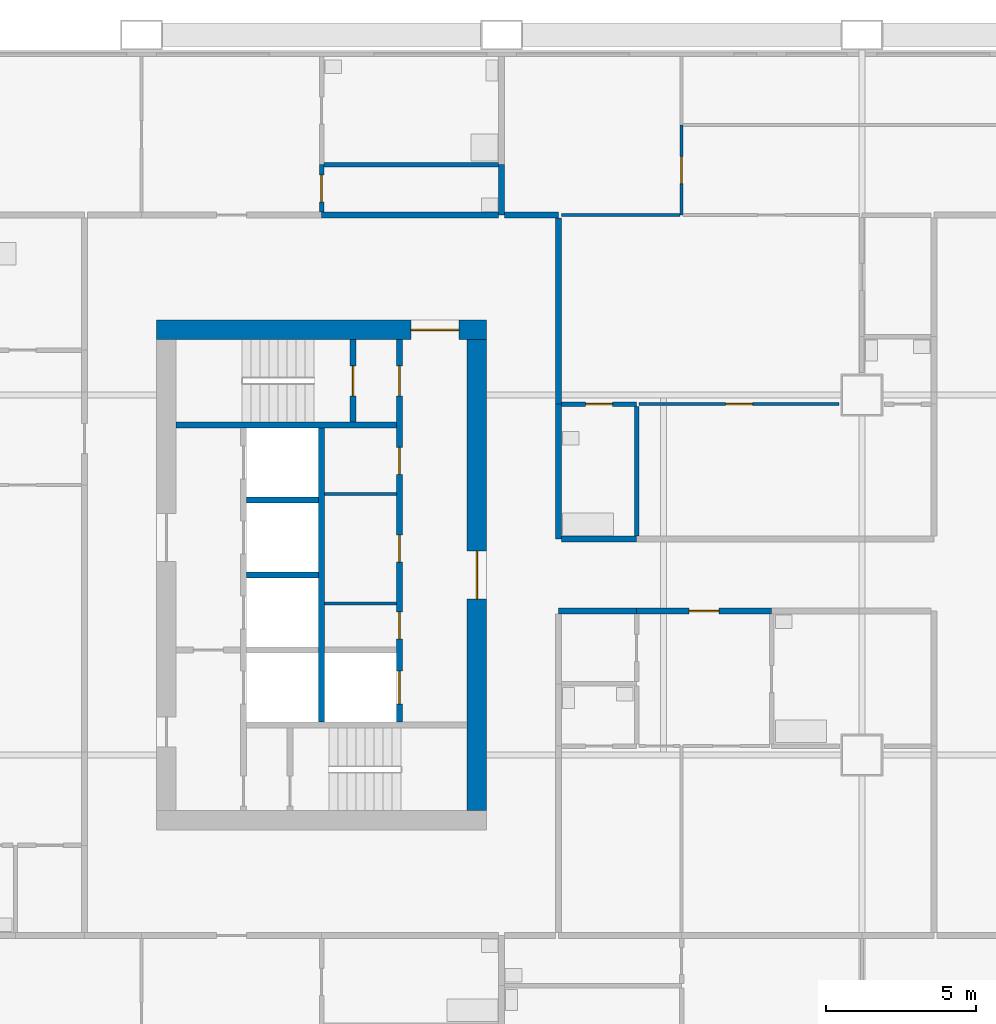
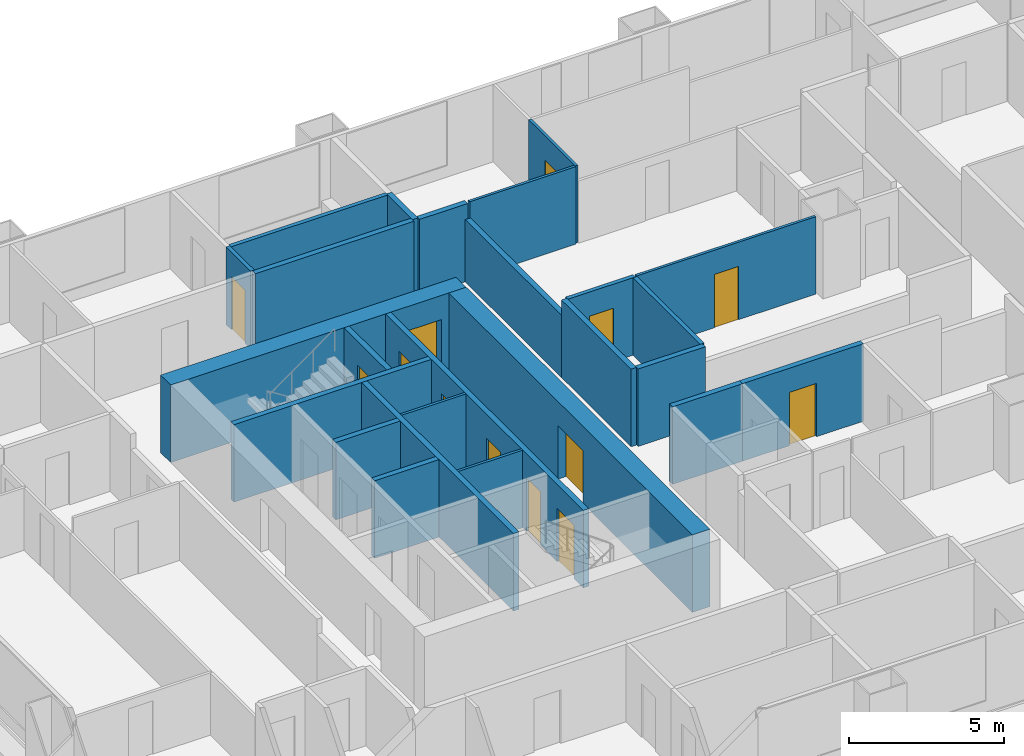
# One storey, part 4 of 11: 25 walls, 13 doors, 13 openings.
"""IFC4 building model written with IfcOpenShell, lengths in metres."""

from ifc_helpers import new_model, si_unit, direction, frame, frame_2d, origin, place, context, subcontext, project, spatial, rectangle, extrude, material, layer, layer_set, type_object, element, fill, save


model = new_model("IFC4")

# Units and contexts
model_context = context("Model", 3, precision=1e-05, world=origin(), true_north=direction((0.0, 1.0)))
body_context = subcontext(model_context, "Body", "Model", "MODEL_VIEW")
ifc_project = project(units=[si_unit("LENGTHUNIT", "METRE"), si_unit("AREAUNIT", "SQUARE_METRE"), si_unit("VOLUMEUNIT", "CUBIC_METRE"), si_unit("PLANEANGLEUNIT", "RADIAN"), si_unit("MASSUNIT", "GRAM", prefix="KILO")], contexts=[model_context])

# Site, building, storey
site_placement = place(None, origin())
site = spatial("IfcSite", under=ifc_project, at=site_placement, CompositionType="ELEMENT")
building_placement = place(site_placement, origin())
building = spatial("IfcBuilding", under=site, at=building_placement, Name="Kitamizu Gate Tower and Museum", CompositionType="ELEMENT")
storey_placement = place(building_placement, frame((0.0, 0.0, 141.449951171875)))
storey = spatial("IfcBuildingStorey", under=building, at=storey_placement, Name="L37", CompositionType="ELEMENT", Elevation=141.449951171875)

# Wall, opening, door
ifc_material_1 = material(Name="Concrete Fc60", Category="concrete")
ifc_layer_1 = layer(ifc_material_1, 0.64990234375)
ifc_layer_set_1 = layer_set([ifc_layer_1], Name="Concrete Fc60")
wall_type_1 = type_object("IfcWallType", Name="Core wall 650", PredefinedType="SHEAR", material=ifc_layer_set_1)
wall_1_placement = place(storey_placement, frame((12.5, 38.175048828125, 0.0), z_axis=(0.0, 0.0, 1.0), x_axis=(1.0, 0.0, 0.0)))
wall_1 = element("IfcWall", 1, at=wall_1_placement, inside=storey, type_object=wall_type_1, Name="Core wall WN", PredefinedType="SHEAR", context=body_context, shape_type="SweptSolid", body=[
    extrude(rectangle(XDim=11.0, YDim=0.64990234375, at=frame_2d((5.5, 0.0))), origin(), (0.0, 0.0, 1.0), 3.050048828125),
])
opening_1_placement = place(wall_1_placement, frame((8.47509765625, 0.0, 0.0)))
opening_1 = element("IfcOpeningElement", 2, at=opening_1_placement, cuts=wall_1, Name="Opening L37-062", PredefinedType="OPENING", context=body_context, shape_type="SweptSolid", body=[
    extrude(rectangle(XDim=1.60009765625, YDim=2.10009765625, at=frame_2d((0.800048828125, 1.050048828125))), frame((0.0, 0.3349609375, 0.0), z_axis=(0.0, -1.0, 0.0), x_axis=(1.0, 0.0, 0.0)), (0.0, 0.0, 1.0), 0.669921875),
])
ifc_material_2 = material(Name="Timber door set", Category="wood")
door_type_1 = type_object("IfcDoorType", Name="Entrance door 1600", OperationType="DOUBLE_DOOR_SINGLE_SWING", PredefinedType="DOOR", material=ifc_material_2)
door_1_placement = place(opening_1_placement, origin())
door_1 = element("IfcDoor", 3, at=door_1_placement, inside=storey, type_object=door_type_1, Name="Lobby door L37-062", OperationType="DOUBLE_DOOR_SINGLE_SWING", OverallHeight=2.10009765625, OverallWidth=1.60009765625, PredefinedType="DOOR", context=body_context, shape_type="SweptSolid", body=[
    extrude(rectangle(XDim=1.60009765625, YDim=2.10009765625, at=frame_2d((0.800048828125, 1.050048828125))), frame((0.0, 0.02490234375, 0.0), z_axis=(0.0, -1.0, 0.0), x_axis=(1.0, 0.0, 0.0)), (0.0, 0.0, 1.0), 0.050048828125),
])
fill(opening_1, door_1)

wall_2_placement = place(storey_placement, frame((23.175048828125, 22.14990234375, 0.0), z_axis=(0.0, 0.0, 1.0), x_axis=(0.0, 1.0, 0.0)))
wall_2 = element("IfcWall", 4, at=wall_2_placement, inside=storey, type_object=wall_type_1, Name="Core wall WARC", PredefinedType="SHEAR", context=body_context, shape_type="SweptSolid", body=[
    extrude(rectangle(XDim=15.7001953125, YDim=0.64990234375, at=frame_2d((7.85009765625, 0.0))), origin(), (0.0, 0.0, 1.0), 3.050048828125),
])
opening_2_placement = place(wall_2_placement, frame((7.050048828125, 0.0, 0.0)))
opening_2 = element("IfcOpeningElement", 5, at=opening_2_placement, cuts=wall_2, Name="Opening L37-063", PredefinedType="OPENING", context=body_context, shape_type="SweptSolid", body=[
    extrude(rectangle(XDim=1.60009765625, YDim=2.10009765625, at=frame_2d((0.800048828125, 1.050048828125))), frame((0.0, 0.3349609375, 0.0), z_axis=(0.0, -1.0, 0.0), x_axis=(1.0, 0.0, 0.0)), (0.0, 0.0, 1.0), 0.669921875),
])
door_2_placement = place(opening_2_placement, origin())
door_2 = element("IfcDoor", 6, at=door_2_placement, inside=storey, type_object=door_type_1, Name="Lobby door L37-063", OperationType="DOUBLE_DOOR_SINGLE_SWING", OverallHeight=2.10009765625, OverallWidth=1.60009765625, PredefinedType="DOOR", context=body_context, shape_type="SweptSolid", body=[
    extrude(rectangle(XDim=1.60009765625, YDim=2.10009765625, at=frame_2d((0.800048828125, 1.050048828125))), frame((0.0, 0.02490234375, 0.0), z_axis=(0.0, -1.0, 0.0), x_axis=(1.0, 0.0, 0.0)), (0.0, 0.0, 1.0), 0.050048828125),
])
fill(opening_2, door_2)

# Walls
ifc_material_3 = material(Name="Gypsum board on galvanised stud")
ifc_layer_2 = layer(ifc_material_3, 0.10009765625)
ifc_layer_set_2 = layer_set([ifc_layer_2], Name="Gypsum board on galvanised stud")
wall_type_2 = type_object("IfcWallType", Name="Partition 100", PredefinedType="PARTITIONING", material=ifc_layer_set_2)
for number, where, z_axis, x_axis, name in (
    (7, (18.10009765625, 29.06005859375, 0.0), (0.0, 0.0, 1.0), (1.0, 0.0, 0.0), "Partition WPF1"),
    (8, (18.10009765625, 32.7099609375, 0.0), (0.0, 0.0, 1.0), (1.0, 0.0, 0.0), "Partition WPF2"),
):
    element("IfcWall", number, at=place(storey_placement, frame(where, z_axis=z_axis, x_axis=x_axis)), inside=storey, type_object=wall_type_2, Name=name, PredefinedType="PARTITIONING", context=body_context, shape_type="SweptSolid", body=[
        extrude(rectangle(XDim=2.39990234375, YDim=0.10009765625, at=frame_2d((1.199951171875, 0.0))), origin(), (0.0, 0.0, 1.0), 3.050048828125),
    ])

# Wall, opening, door
ifc_material_4 = material(Name="Gypsum board on galvanised stud")
ifc_layer_3 = layer(ifc_material_4, 0.10009765625)
ifc_layer_set_3 = layer_set([ifc_layer_3], Name="Gypsum board on galvanised stud")
wall_type_3 = type_object("IfcWallType", Name="Partition 100 NOT RATED", PredefinedType="PARTITIONING", material=ifc_layer_set_3)
wall_3_placement = place(storey_placement, frame((30.0, 42.0, 0.0), z_axis=(0.0, 0.0, 1.0), x_axis=(0.0, 1.0, 0.0)))
wall_3 = element("IfcWall", 9, at=wall_3_placement, inside=storey, type_object=wall_type_3, Name="Partition L37-113", PredefinedType="PARTITIONING", context=body_context, shape_type="SweptSolid", body=[
    extrude(rectangle(XDim=3.0, YDim=0.10009765625, at=frame_2d((1.5, 0.0))), origin(), (0.0, 0.0, 1.0), 3.050048828125),
])
opening_3_placement = place(wall_3_placement, frame((1.050048828125, 0.0, 0.0)))
opening_3 = element("IfcOpeningElement", 10, at=opening_3_placement, cuts=wall_3, Name="Opening L37-048", PredefinedType="OPENING", context=body_context, shape_type="SweptSolid", body=[
    extrude(rectangle(XDim=0.89990234375, YDim=2.10009765625, at=frame_2d((0.449951171875, 1.050048828125))), frame((0.0, 0.06005859375, 0.0), z_axis=(0.0, -1.0, 0.0), x_axis=(1.0, 0.0, 0.0)), (0.0, 0.0, 1.0), 0.1201171875),
])
ifc_material_5 = material(Name="Timber door set", Category="wood")
door_type_2 = type_object("IfcDoorType", Name="Room door 900", OperationType="NOTDEFINED", PredefinedType="DOOR", material=ifc_material_5)
door_3_placement = place(opening_3_placement, origin())
door_3 = element("IfcDoor", 11, at=door_3_placement, inside=storey, type_object=door_type_2, Name="Door L37-048", OperationType="SINGLE_SWING_RIGHT", OverallHeight=2.10009765625, OverallWidth=0.89990234375, PredefinedType="DOOR", context=body_context, shape_type="SweptSolid", body=[
    extrude(rectangle(XDim=0.89990234375, YDim=2.10009765625, at=frame_2d((0.449951171875, 1.050048828125))), frame((0.0, 0.02490234375, 0.0), z_axis=(0.0, -1.0, 0.0), x_axis=(1.0, 0.0, 0.0)), (0.0, 0.0, 1.0), 0.050048828125),
])
fill(opening_3, door_3)

# Wall
wall_4_placement = place(storey_placement, frame((26.0, 42.0, 0.0), z_axis=(0.0, 0.0, 1.0), x_axis=(1.0, 0.0, 0.0)))
element("IfcWall", 12, at=wall_4_placement, inside=storey, type_object=wall_type_3, Name="Partition L37-115", PredefinedType="PARTITIONING", context=body_context, shape_type="SweptSolid", body=[
    extrude(rectangle(XDim=3.949951171875, YDim=0.10009765625, at=frame_2d((1.97509765625, 0.0))), origin(), (0.0, 0.0, 1.0), 3.050048828125),
])

# Wall, opening, door
wall_5_placement = place(storey_placement, frame((28.574951171875, 35.699951171875, 0.0), z_axis=(0.0, 0.0, 1.0), x_axis=(1.0, 0.0, 0.0)))
wall_5 = element("IfcWall", 13, at=wall_5_placement, inside=storey, type_object=wall_type_3, Name="Partition L37-134", PredefinedType="PARTITIONING", context=body_context, shape_type="SweptSolid", body=[
    extrude(rectangle(XDim=6.675048828125, YDim=0.10009765625, at=frame_2d((3.33740234375, 0.0))), origin(), (0.0, 0.0, 1.0), 3.050048828125),
])
opening_4_placement = place(wall_5_placement, frame((2.887451171875, 0.0, 0.0)))
opening_4 = element("IfcOpeningElement", 14, at=opening_4_placement, cuts=wall_5, Name="Opening L37-052", PredefinedType="OPENING", context=body_context, shape_type="SweptSolid", body=[
    extrude(rectangle(XDim=0.89990234375, YDim=2.10009765625, at=frame_2d((0.449951171875, 1.050048828125))), frame((0.0, 0.06005859375, 0.0), z_axis=(0.0, -1.0, 0.0), x_axis=(1.0, 0.0, 0.0)), (0.0, 0.0, 1.0), 0.1201171875),
])
door_4_placement = place(opening_4_placement, frame((0.89990234375, 0.0, 0.0), x_axis=(-1.0, 0.0, 0.0)))
door_4 = element("IfcDoor", 15, at=door_4_placement, inside=storey, type_object=door_type_2, Name="Door L37-052", OperationType="SINGLE_SWING_RIGHT", OverallHeight=2.10009765625, OverallWidth=0.89990234375, PredefinedType="DOOR", context=body_context, shape_type="SweptSolid", body=[
    extrude(rectangle(XDim=0.89990234375, YDim=2.10009765625, at=frame_2d((0.449951171875, 1.050048828125))), frame((0.0, 0.02490234375, 0.0), z_axis=(0.0, -1.0, 0.0), x_axis=(1.0, 0.0, 0.0)), (0.0, 0.0, 1.0), 0.050048828125),
])
fill(opening_4, door_4)

ifc_material_6 = material(Name="Gypsum board on galvanised stud")
ifc_layer_4 = layer(ifc_material_6, 0.14990234375)
ifc_layer_set_4 = layer_set([ifc_layer_4], Name="Gypsum board on galvanised stud")
wall_type_4 = type_object("IfcWallType", Name="Partition 150", PredefinedType="PARTITIONING", material=ifc_layer_set_4)
wall_6_placement = place(storey_placement, frame((18.0, 42.10009765625, 0.0), z_axis=(0.0, 0.0, 1.0), x_axis=(0.0, 1.0, 0.0)))
wall_6 = element("IfcWall", 16, at=wall_6_placement, inside=storey, type_object=wall_type_4, Name="Partition L37-107", PredefinedType="PARTITIONING", context=body_context, shape_type="SweptSolid", body=[
    extrude(rectangle(XDim=1.579833984375, YDim=0.14990234375, at=frame_2d((0.7900390625, 0.0))), origin(), (0.0, 0.0, 1.0), 3.050048828125),
])
opening_5_placement = place(wall_6_placement, frame((0.340087890625, 0.0, 0.0)))
opening_5 = element("IfcOpeningElement", 17, at=opening_5_placement, cuts=wall_6, Name="Opening L37-041", PredefinedType="OPENING", context=body_context, shape_type="SweptSolid", body=[
    extrude(rectangle(XDim=0.89990234375, YDim=2.10009765625, at=frame_2d((0.449951171875, 1.050048828125))), frame((0.0, 0.0849609375, 0.0), z_axis=(0.0, -1.0, 0.0), x_axis=(1.0, 0.0, 0.0)), (0.0, 0.0, 1.0), 0.169921875),
])
ifc_material_7 = material(Name="Timber door set", Category="wood")
door_type_3 = type_object("IfcDoorType", Name="Bathroom door 900", OperationType="NOTDEFINED", PredefinedType="DOOR", material=ifc_material_7)
door_5_placement = place(opening_5_placement, frame((0.89990234375, 0.0, 0.0), x_axis=(-1.0, 0.0, 0.0)))
door_5 = element("IfcDoor", 18, at=door_5_placement, inside=storey, type_object=door_type_3, Name="Bathroom door L37-041", OperationType="SINGLE_SWING_LEFT", OverallHeight=2.10009765625, OverallWidth=0.89990234375, PredefinedType="DOOR", context=body_context, shape_type="SweptSolid", body=[
    extrude(rectangle(XDim=0.89990234375, YDim=2.10009765625, at=frame_2d((0.449951171875, 1.050048828125))), frame((0.0, 0.02490234375, 0.0), z_axis=(0.0, -1.0, 0.0), x_axis=(1.0, 0.0, 0.0)), (0.0, 0.0, 1.0), 0.050048828125),
])
fill(opening_5, door_5)

# Wall
wall_7_placement = place(storey_placement, frame((18.074951171875, 43.679931640625, 0.0), z_axis=(0.0, 0.0, 1.0), x_axis=(1.0, 0.0, 0.0)))
element("IfcWall", 19, at=wall_7_placement, inside=storey, type_object=wall_type_4, Name="Partition L37-109", PredefinedType="PARTITIONING", context=body_context, shape_type="SweptSolid", body=[
    extrude(rectangle(XDim=5.824951171875, YDim=0.14990234375, at=frame_2d((2.91259765625, 0.0))), origin(), (0.0, 0.0, 1.0), 3.050048828125),
])

# Wall, opening, door
wall_8_placement = place(storey_placement, frame((26.0, 35.699951171875, 0.0), z_axis=(0.0, 0.0, 1.0), x_axis=(1.0, 0.0, 0.0)))
wall_8 = element("IfcWall", 20, at=wall_8_placement, inside=storey, type_object=wall_type_4, Name="Partition L37-133", PredefinedType="PARTITIONING", context=body_context, shape_type="SweptSolid", body=[
    extrude(rectangle(XDim=2.5, YDim=0.14990234375, at=frame_2d((1.25, 0.0))), origin(), (0.0, 0.0, 1.0), 3.050048828125),
])
opening_6_placement = place(wall_8_placement, frame((0.800048828125, 0.0, 0.0)))
opening_6 = element("IfcOpeningElement", 21, at=opening_6_placement, cuts=wall_8, Name="Opening L37-051", PredefinedType="OPENING", context=body_context, shape_type="SweptSolid", body=[
    extrude(rectangle(XDim=0.89990234375, YDim=2.10009765625, at=frame_2d((0.449951171875, 1.050048828125))), frame((0.0, 0.0849609375, 0.0), z_axis=(0.0, -1.0, 0.0), x_axis=(1.0, 0.0, 0.0)), (0.0, 0.0, 1.0), 0.169921875),
])
door_6_placement = place(opening_6_placement, frame((0.89990234375, 0.0, 0.0), x_axis=(-1.0, 0.0, 0.0)))
door_6 = element("IfcDoor", 22, at=door_6_placement, inside=storey, type_object=door_type_3, Name="Bathroom door L37-051", OperationType="SINGLE_SWING_LEFT", OverallHeight=2.10009765625, OverallWidth=0.89990234375, PredefinedType="DOOR", context=body_context, shape_type="SweptSolid", body=[
    extrude(rectangle(XDim=0.89990234375, YDim=2.10009765625, at=frame_2d((0.449951171875, 1.050048828125))), frame((0.0, 0.02490234375, 0.0), z_axis=(0.0, -1.0, 0.0), x_axis=(1.0, 0.0, 0.0)), (0.0, 0.0, 1.0), 0.050048828125),
])
fill(opening_6, door_6)

# Walls
wall_9_placement = place(storey_placement, frame((28.5, 31.300048828125, 0.0), z_axis=(0.0, 0.0, 1.0), x_axis=(0.0, 1.0, 0.0)))
element("IfcWall", 23, at=wall_9_placement, inside=storey, type_object=wall_type_4, Name="Partition L37-141", PredefinedType="PARTITIONING", context=body_context, shape_type="SweptSolid", body=[
    extrude(rectangle(XDim=4.324951171875, YDim=0.14990234375, at=frame_2d((2.16259765625, 0.0))), origin(), (0.0, 0.0, 1.0), 3.050048828125),
])
ifc_material_8 = material(Name="Gypsum board on galvanised stud")
ifc_layer_5 = layer(ifc_material_8, 0.199951171875)
ifc_layer_set_5 = layer_set([ifc_layer_5], Name="Gypsum board on galvanised stud")
wall_type_5 = type_object("IfcWallType", Name="Partition 200", PredefinedType="PARTITIONING", material=ifc_layer_set_5)
wall_10_placement = place(storey_placement, frame((28.5, 28.800048828125, 0.0), z_axis=(0.0, 0.0, 1.0), x_axis=(-1.0, 0.0, 0.0)))
element("IfcWall", 24, at=wall_10_placement, inside=storey, type_object=wall_type_5, Name="Partition L37-049", PredefinedType="PARTITIONING", context=body_context, shape_type="SweptSolid", body=[
    extrude(rectangle(XDim=2.60009765625, YDim=0.199951171875, at=frame_2d((1.300048828125, 0.0))), origin(), (0.0, 0.0, 1.0), 3.050048828125),
])

# Wall, opening, door
wall_11_placement = place(storey_placement, frame((33.0, 28.800048828125, 0.0), z_axis=(0.0, 0.0, 1.0), x_axis=(-1.0, 0.0, 0.0)))
wall_11 = element("IfcWall", 25, at=wall_11_placement, inside=storey, type_object=wall_type_5, Name="Partition L37-052", PredefinedType="PARTITIONING", context=body_context, shape_type="SweptSolid", body=[
    extrude(rectangle(XDim=4.5, YDim=0.199951171875, at=frame_2d((2.25, 0.0))), origin(), (0.0, 0.0, 1.0), 3.050048828125),
])
opening_7_placement = place(wall_11_placement, frame((1.75, 0.0, 0.0)))
opening_7 = element("IfcOpeningElement", 26, at=opening_7_placement, cuts=wall_11, Name="Opening L37-013", PredefinedType="OPENING", context=body_context, shape_type="SweptSolid", body=[
    extrude(rectangle(XDim=1.0, YDim=2.10009765625, at=frame_2d((0.5, 1.050048828125))), frame((0.0, 0.10986328125, 0.0), z_axis=(0.0, -1.0, 0.0), x_axis=(1.0, 0.0, 0.0)), (0.0, 0.0, 1.0), 0.219970703125),
])
ifc_material_9 = material(Name="Timber door set", Category="wood")
door_type_4 = type_object("IfcDoorType", Name="Flat entrance door 1000", OperationType="NOTDEFINED", PredefinedType="DOOR", material=ifc_material_9)
door_7_placement = place(opening_7_placement, origin())
door_7 = element("IfcDoor", 27, at=door_7_placement, inside=storey, type_object=door_type_4, Name="Flat entrance door L37-013", OperationType="SINGLE_SWING_LEFT", OverallHeight=2.10009765625, OverallWidth=1.0, PredefinedType="DOOR", context=body_context, shape_type="SweptSolid", body=[
    extrude(rectangle(XDim=1.0, YDim=2.10009765625, at=frame_2d((0.5, 1.050048828125))), frame((0.0, 0.02490234375, 0.0), z_axis=(0.0, -1.0, 0.0), x_axis=(1.0, 0.0, 0.0)), (0.0, 0.0, 1.0), 0.050048828125),
])
fill(opening_7, door_7)

# Walls
wall_12_placement = place(storey_placement, frame((24.0, 42.0, 0.0), z_axis=(0.0, 0.0, 1.0), x_axis=(0.0, 1.0, 0.0)))
element("IfcWall", 28, at=wall_12_placement, inside=storey, type_object=wall_type_5, Name="Partition L37-111", PredefinedType="PARTITIONING", context=body_context, shape_type="SweptSolid", body=[
    extrude(rectangle(XDim=1.679931640625, YDim=0.199951171875, at=frame_2d((0.83984375, 0.0))), origin(), (0.0, 0.0, 1.0), 3.050048828125),
])
wall_13_placement = place(storey_placement, frame((18.0, 42.0, 0.0), z_axis=(0.0, 0.0, 1.0), x_axis=(1.0, 0.0, 0.0)))
element("IfcWall", 29, at=wall_13_placement, inside=storey, type_object=wall_type_5, Name="Partition L37-112", PredefinedType="PARTITIONING", context=body_context, shape_type="SweptSolid", body=[
    extrude(rectangle(XDim=5.89990234375, YDim=0.199951171875, at=frame_2d((2.949951171875, 0.0))), origin(), (0.0, 0.0, 1.0), 3.050048828125),
])
wall_14_placement = place(storey_placement, frame((24.10009765625, 42.0, 0.0), z_axis=(0.0, 0.0, 1.0), x_axis=(1.0, 0.0, 0.0)))
element("IfcWall", 30, at=wall_14_placement, inside=storey, type_object=wall_type_5, Name="Partition L37-116", PredefinedType="PARTITIONING", context=body_context, shape_type="SweptSolid", body=[
    extrude(rectangle(XDim=1.7998046875, YDim=0.199951171875, at=frame_2d((0.89990234375, 0.0))), origin(), (0.0, 0.0, 1.0), 3.050048828125),
])
wall_15_placement = place(storey_placement, frame((25.89990234375, 41.89990234375, 0.0), z_axis=(0.0, 0.0, 1.0), x_axis=(0.0, -1.0, 0.0)))
element("IfcWall", 31, at=wall_15_placement, inside=storey, type_object=wall_type_5, Name="Partition L37-135", PredefinedType="PARTITIONING", context=body_context, shape_type="SweptSolid", body=[
    extrude(rectangle(XDim=6.199951171875, YDim=0.199951171875, at=frame_2d((3.10009765625, 0.0))), origin(), (0.0, 0.0, 1.0), 2.449951171875),
])
wall_16_placement = place(storey_placement, frame((25.89990234375, 35.699951171875, 0.0), z_axis=(0.0, 0.0, 1.0), x_axis=(0.0, -1.0, 0.0)))
element("IfcWall", 32, at=wall_16_placement, inside=storey, type_object=wall_type_5, Name="Partition L37-142", PredefinedType="PARTITIONING", context=body_context, shape_type="SweptSolid", body=[
    extrude(rectangle(XDim=4.5, YDim=0.199951171875, at=frame_2d((2.25, 0.0))), origin(), (0.0, 0.0, 1.0), 3.050048828125),
])
wall_17_placement = place(storey_placement, frame((26.0, 31.199951171875, 0.0), z_axis=(0.0, 0.0, 1.0), x_axis=(1.0, 0.0, 0.0)))
element("IfcWall", 33, at=wall_17_placement, inside=storey, type_object=wall_type_5, Name="Partition L37-143", PredefinedType="PARTITIONING", context=body_context, shape_type="SweptSolid", body=[
    extrude(rectangle(XDim=2.5, YDim=0.199951171875, at=frame_2d((1.25, 0.0))), origin(), (0.0, 0.0, 1.0), 3.050048828125),
])

# Wall, openings, doors
ifc_material_10 = material(Name="Concrete Fc42", Category="concrete")
ifc_layer_6 = layer(ifc_material_10, 0.199951171875)
ifc_layer_set_6 = layer_set([ifc_layer_6], Name="Concrete Fc42")
wall_type_6 = type_object("IfcWallType", Name="Shaft wall 200", PredefinedType="SOLIDWALL", material=ifc_layer_set_6)
wall_18_placement = place(storey_placement, frame((20.60009765625, 25.10009765625, 0.0), z_axis=(0.0, 0.0, 1.0), x_axis=(0.0, 1.0, 0.0)))
wall_18 = element("IfcWall", 34, at=wall_18_placement, inside=storey, type_object=wall_type_6, Name="Shaft wall WEAST", PredefinedType="SOLIDWALL", context=body_context, shape_type="SweptSolid", body=[
    extrude(rectangle(XDim=12.75, YDim=0.199951171875, at=frame_2d((6.375, 0.0))), origin(), (0.0, 0.0, 1.0), 3.050048828125),
])
opening_8_placement = place(wall_18_placement, frame((0.60009765625, 0.0, 0.0)))
opening_8 = element("IfcOpeningElement", 35, at=opening_8_placement, cuts=wall_18, Name="Opening LD", PredefinedType="OPENING", context=body_context, shape_type="SweptSolid", body=[
    extrude(rectangle(XDim=1.10009765625, YDim=2.10009765625, at=frame_2d((0.550048828125, 1.050048828125))), frame((0.0, 0.10986328125, 0.0), z_axis=(0.0, -1.0, 0.0), x_axis=(1.0, 0.0, 0.0)), (0.0, 0.0, 1.0), 0.219970703125),
])
opening_9_placement = place(wall_18_placement, frame((10.875, 0.0, 0.0)))
opening_9 = element("IfcOpeningElement", 36, at=opening_9_placement, cuts=wall_18, Name="Opening L37-057", PredefinedType="OPENING", context=body_context, shape_type="SweptSolid", body=[
    extrude(rectangle(XDim=1.0, YDim=2.10009765625, at=frame_2d((0.5, 1.050048828125))), frame((0.0, 0.10986328125, 0.0), z_axis=(0.0, -1.0, 0.0), x_axis=(1.0, 0.0, 0.0)), (0.0, 0.0, 1.0), 0.219970703125),
])
opening_10_placement = place(wall_18_placement, frame((2.780029296875, 0.0, 0.0)))
opening_10 = element("IfcOpeningElement", 37, at=opening_10_placement, cuts=wall_18, Name="Opening L37-064", PredefinedType="OPENING", context=body_context, shape_type="SweptSolid", body=[
    extrude(rectangle(XDim=0.89990234375, YDim=2.10009765625, at=frame_2d((0.449951171875, 1.050048828125))), frame((0.0, 0.10986328125, 0.0), z_axis=(0.0, -1.0, 0.0), x_axis=(1.0, 0.0, 0.0)), (0.0, 0.0, 1.0), 0.219970703125),
])
opening_11_placement = place(wall_18_placement, frame((5.3349609375, 0.0, 0.0)))
opening_11 = element("IfcOpeningElement", 38, at=opening_11_placement, cuts=wall_18, Name="Opening L37-065", PredefinedType="OPENING", context=body_context, shape_type="SweptSolid", body=[
    extrude(rectangle(XDim=0.89990234375, YDim=2.10009765625, at=frame_2d((0.449951171875, 1.050048828125))), frame((0.0, 0.10986328125, 0.0), z_axis=(0.0, -1.0, 0.0), x_axis=(1.0, 0.0, 0.0)), (0.0, 0.0, 1.0), 0.219970703125),
])
opening_12_placement = place(wall_18_placement, frame((8.2548828125, 0.0, 0.0)))
opening_12 = element("IfcOpeningElement", 39, at=opening_12_placement, cuts=wall_18, Name="Opening L37-066", PredefinedType="OPENING", context=body_context, shape_type="SweptSolid", body=[
    extrude(rectangle(XDim=0.89990234375, YDim=2.10009765625, at=frame_2d((0.449951171875, 1.050048828125))), frame((0.0, 0.10986328125, 0.0), z_axis=(0.0, -1.0, 0.0), x_axis=(1.0, 0.0, 0.0)), (0.0, 0.0, 1.0), 0.219970703125),
])
ifc_material_11 = material(Name="Hollow metal door set")
door_type_5 = type_object("IfcDoorType", Name="Fire door 1000", OperationType="NOTDEFINED", PredefinedType="DOOR", material=ifc_material_11)
door_8_placement = place(opening_9_placement, origin())
door_8 = element("IfcDoor", 40, at=door_8_placement, inside=storey, type_object=door_type_5, Name="Stair lobby door L37-057", OperationType="SINGLE_SWING_RIGHT", OverallHeight=2.10009765625, OverallWidth=1.0, PredefinedType="DOOR", context=body_context, shape_type="SweptSolid", body=[
    extrude(rectangle(XDim=1.0, YDim=2.10009765625, at=frame_2d((0.5, 1.050048828125))), frame((0.0, 0.02490234375, 0.0), z_axis=(0.0, -1.0, 0.0), x_axis=(1.0, 0.0, 0.0)), (0.0, 0.0, 1.0), 0.050048828125),
])
fill(opening_9, door_8)
ifc_material_12 = material(Name="Hollow metal door set")
door_type_6 = type_object("IfcDoorType", Name="Landing door 1100", OperationType="SLIDING_TO_LEFT", PredefinedType="DOOR", material=ifc_material_12)
door_9_placement = place(opening_8_placement, origin())
door_9 = element("IfcDoor", 41, at=door_9_placement, inside=storey, type_object=door_type_6, Name="Landing door WSV1", OperationType="SLIDING_TO_LEFT", OverallHeight=2.10009765625, OverallWidth=1.10009765625, PredefinedType="DOOR", context=body_context, shape_type="SweptSolid", body=[
    extrude(rectangle(XDim=1.10009765625, YDim=2.10009765625, at=frame_2d((0.550048828125, 1.050048828125))), frame((0.0, 0.02490234375, 0.0), z_axis=(0.0, -1.0, 0.0), x_axis=(1.0, 0.0, 0.0)), (0.0, 0.0, 1.0), 0.050048828125),
])
fill(opening_8, door_9)
ifc_material_13 = material(Name="Timber door set", Category="wood")
door_type_7 = type_object("IfcDoorType", Name="Service door 900", OperationType="NOTDEFINED", PredefinedType="DOOR", material=ifc_material_13)
door_10_placement = place(opening_10_placement, origin())
door_10 = element("IfcDoor", 42, at=door_10_placement, inside=storey, type_object=door_type_7, Name="Service door L37-064", OperationType="SINGLE_SWING_RIGHT", OverallHeight=2.10009765625, OverallWidth=0.89990234375, PredefinedType="DOOR", context=body_context, shape_type="SweptSolid", body=[
    extrude(rectangle(XDim=0.89990234375, YDim=2.10009765625, at=frame_2d((0.449951171875, 1.050048828125))), frame((0.0, 0.02490234375, 0.0), z_axis=(0.0, -1.0, 0.0), x_axis=(1.0, 0.0, 0.0)), (0.0, 0.0, 1.0), 0.050048828125),
])
fill(opening_10, door_10)
door_11_placement = place(opening_11_placement, origin())
door_11 = element("IfcDoor", 43, at=door_11_placement, inside=storey, type_object=door_type_7, Name="Service door L37-065", OperationType="SINGLE_SWING_LEFT", OverallHeight=2.10009765625, OverallWidth=0.89990234375, PredefinedType="DOOR", context=body_context, shape_type="SweptSolid", body=[
    extrude(rectangle(XDim=0.89990234375, YDim=2.10009765625, at=frame_2d((0.449951171875, 1.050048828125))), frame((0.0, 0.02490234375, 0.0), z_axis=(0.0, -1.0, 0.0), x_axis=(1.0, 0.0, 0.0)), (0.0, 0.0, 1.0), 0.050048828125),
])
fill(opening_11, door_11)
door_12_placement = place(opening_12_placement, origin())
door_12 = element("IfcDoor", 44, at=door_12_placement, inside=storey, type_object=door_type_7, Name="Service door L37-066", OperationType="SINGLE_SWING_RIGHT", OverallHeight=2.10009765625, OverallWidth=0.89990234375, PredefinedType="DOOR", context=body_context, shape_type="SweptSolid", body=[
    extrude(rectangle(XDim=0.89990234375, YDim=2.10009765625, at=frame_2d((0.449951171875, 1.050048828125))), frame((0.0, 0.02490234375, 0.0), z_axis=(0.0, -1.0, 0.0), x_axis=(1.0, 0.0, 0.0)), (0.0, 0.0, 1.0), 0.050048828125),
])
fill(opening_12, door_12)

# Walls
wall_19_placement = place(storey_placement, frame((18.0, 25.10009765625, 0.0), z_axis=(0.0, 0.0, 1.0), x_axis=(0.0, 1.0, 0.0)))
element("IfcWall", 45, at=wall_19_placement, inside=storey, type_object=wall_type_6, Name="Shaft wall WMID", PredefinedType="SOLIDWALL", context=body_context, shape_type="SweptSolid", body=[
    extrude(rectangle(XDim=9.7998046875, YDim=0.199951171875, at=frame_2d((4.89990234375, 0.0))), origin(), (0.0, 0.0, 1.0), 3.050048828125),
])
wall_20_placement = place(storey_placement, frame((13.14990234375, 35.0, 0.0), z_axis=(0.0, 0.0, 1.0), x_axis=(1.0, 0.0, 0.0)))
element("IfcWall", 46, at=wall_20_placement, inside=storey, type_object=wall_type_6, Name="Shaft wall WNB", PredefinedType="SOLIDWALL", context=body_context, shape_type="SweptSolid", body=[
    extrude(rectangle(XDim=7.35009765625, YDim=0.199951171875, at=frame_2d((3.675048828125, 0.0))), origin(), (0.0, 0.0, 1.0), 3.050048828125),
])

# Wall, opening, door
wall_21_placement = place(storey_placement, frame((19.050048828125, 35.10009765625, 0.0), z_axis=(0.0, 0.0, 1.0), x_axis=(0.0, 1.0, 0.0)))
wall_21 = element("IfcWall", 47, at=wall_21_placement, inside=storey, type_object=wall_type_6, Name="Shaft wall WNZ", PredefinedType="SOLIDWALL", context=body_context, shape_type="SweptSolid", body=[
    extrude(rectangle(XDim=2.75, YDim=0.199951171875, at=frame_2d((1.375, 0.0))), origin(), (0.0, 0.0, 1.0), 3.050048828125),
])
opening_13_placement = place(wall_21_placement, frame((0.875, 0.0, 0.0)))
opening_13 = element("IfcOpeningElement", 48, at=opening_13_placement, cuts=wall_21, Name="Opening L37-058", PredefinedType="OPENING", context=body_context, shape_type="SweptSolid", body=[
    extrude(rectangle(XDim=1.0, YDim=2.10009765625, at=frame_2d((0.5, 1.050048828125))), frame((0.0, 0.10986328125, 0.0), z_axis=(0.0, -1.0, 0.0), x_axis=(1.0, 0.0, 0.0)), (0.0, 0.0, 1.0), 0.219970703125),
])
door_13_placement = place(opening_13_placement, origin())
door_13 = element("IfcDoor", 49, at=door_13_placement, inside=storey, type_object=door_type_5, Name="Stair door L37-058", OperationType="SINGLE_SWING_LEFT", OverallHeight=2.10009765625, OverallWidth=1.0, PredefinedType="DOOR", context=body_context, shape_type="SweptSolid", body=[
    extrude(rectangle(XDim=1.0, YDim=2.10009765625, at=frame_2d((0.5, 1.050048828125))), frame((0.0, 0.02490234375, 0.0), z_axis=(0.0, -1.0, 0.0), x_axis=(1.0, 0.0, 0.0)), (0.0, 0.0, 1.0), 0.050048828125),
])
fill(opening_13, door_13)

# Walls
for number, where, z_axis, x_axis, name in (
    (50, (15.5, 30.0, 0.0), (0.0, 0.0, 1.0), (1.0, 0.0, 0.0), "Shaft wall WDVW1"),
    (51, (15.5, 32.5, 0.0), (0.0, 0.0, 1.0), (1.0, 0.0, 0.0), "Shaft wall WDVW2"),
):
    element("IfcWall", number, at=place(storey_placement, frame(where, z_axis=z_axis, x_axis=x_axis)), inside=storey, type_object=wall_type_6, Name=name, PredefinedType="SOLIDWALL", context=body_context, shape_type="SweptSolid", body=[
        extrude(rectangle(XDim=2.39990234375, YDim=0.199951171875, at=frame_2d((1.199951171875, 0.0))), origin(), (0.0, 0.0, 1.0), 3.050048828125),
    ])

save(model, "model.ifc")
